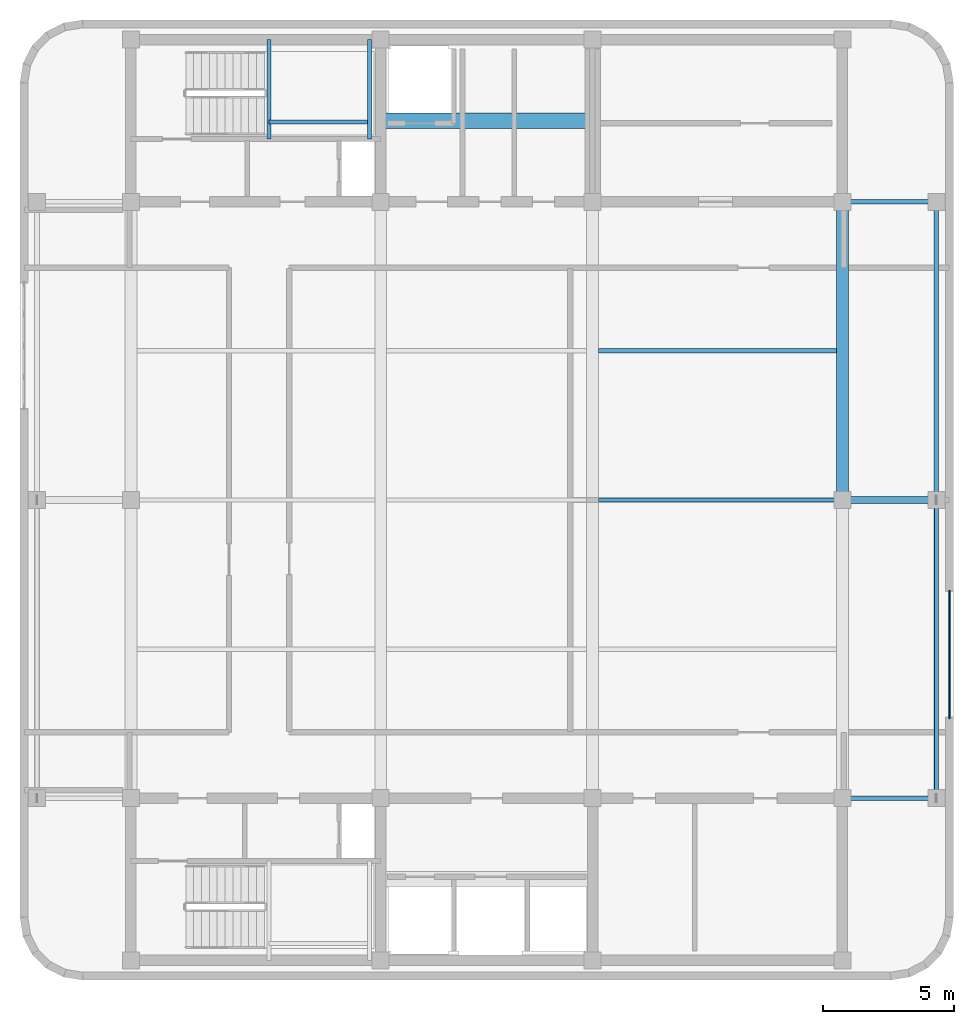
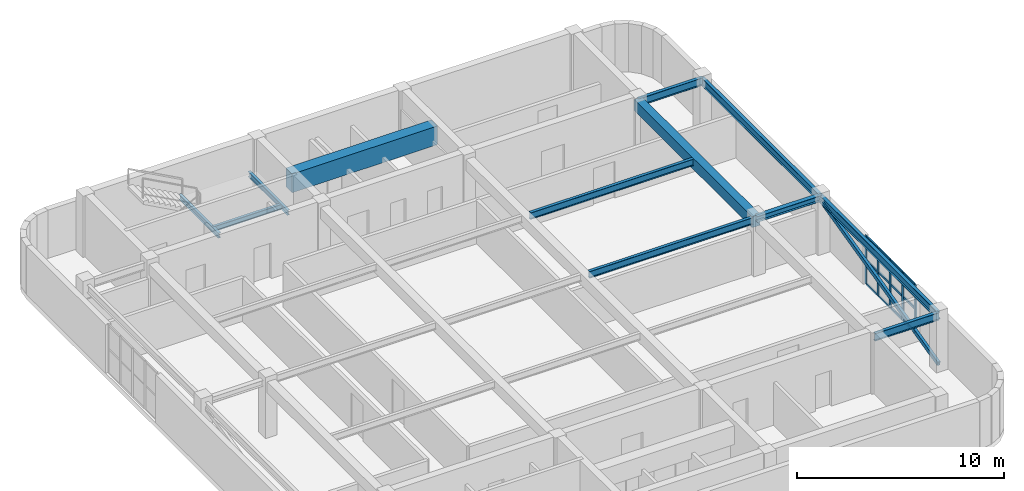
# One storey, part 3 of 9: 18 members, 12 beams, 1 element without a shape of its own.
"""IFC4 building model written with IfcOpenShell, lengths in metres."""

from ifc_helpers import new_model, si_unit, direction, frame, origin, origin_2d, place, context, subcontext, project, spatial, rectangle, hollow_rectangle, i_section, extrude, material, material_profile, profile_set, type_object, element, aggregate, save


model = new_model("IFC4")

# Units and contexts
model_context = context("Model", 3, precision=1e-05, world=origin(), true_north=direction((0.0, 1.0)))
body_context = subcontext(model_context, "Body", "Model", "MODEL_VIEW")
ifc_project = project(units=[si_unit("LENGTHUNIT", "METRE"), si_unit("AREAUNIT", "SQUARE_METRE"), si_unit("VOLUMEUNIT", "CUBIC_METRE"), si_unit("PLANEANGLEUNIT", "RADIAN"), si_unit("MASSUNIT", "GRAM", prefix="KILO")], contexts=[model_context])

# Site, building, storey
site_placement = place(None, origin())
site = spatial("IfcSite", under=ifc_project, at=site_placement, CompositionType="ELEMENT")
building_placement = place(site_placement, origin())
building = spatial("IfcBuilding", under=site, at=building_placement, Name="Svetorya Sky Lyceum", CompositionType="ELEMENT")
storey_placement = place(building_placement, frame((0.0, 0.0, 312.800048828125)))
storey = spatial("IfcBuildingStorey", under=building, at=storey_placement, Name="C04", CompositionType="ELEMENT", Elevation=312.800048828125)

# Beams
ifc_material_1 = material(Name="Concrete C60/75", Category="concrete")
ifc_material_profile_1 = material_profile(ifc_material_1, rectangle(XDim=0.60009765625, YDim=1.10009765625, at=origin_2d()), Name="RC COUPLING 600x1100")
ifc_profile_set_1 = profile_set([ifc_material_profile_1], Name="Concrete C60/75")
beam_type_1 = type_object("IfcBeamType", Name="BM-CPL-1100", PredefinedType="LINTEL", material=ifc_profile_set_1)
beam_1_placement = place(storey_placement, frame((35.14990234375, 42.699951171875, 2.77001953125), z_axis=(1.0, 0.0, 0.0), x_axis=(0.0, 1.0, 0.0)))
element("IfcBeam", 1, at=beam_1_placement, inside=storey, type_object=beam_type_1, Name="C04 NC Core Coupling Beam", PredefinedType="LINTEL", context=body_context, shape_type="SweptSolid", body=[
    extrude(rectangle(XDim=0.60009765625, YDim=1.10009765625, at=origin_2d()), origin(), (0.0, 0.0, 1.0), 8.10009765625),
])
ifc_material_2 = material(Name="Concrete C40/50", Category="concrete")
ifc_material_profile_2 = material_profile(ifc_material_2, rectangle(XDim=0.449951171875, YDim=0.64990234375, at=origin_2d()), Name="RC BEAM 450x650")
ifc_profile_set_2 = profile_set([ifc_material_profile_2], Name="Concrete C40/50")
beam_type_2 = type_object("IfcBeamType", Name="BM-RC-650", PredefinedType="BEAM", material=ifc_profile_set_2)
beam_2_placement = place(storey_placement, frame((52.800048828125, 28.199951171875, 2.994873046875), z_axis=(0.0, 1.0, 0.0), x_axis=(-1.0, 0.0, 0.0)))
element("IfcBeam", 2, at=beam_2_placement, inside=storey, type_object=beam_type_2, Name="C04 Central Bay Primary Girder CG-4B", PredefinedType="BEAM", context=body_context, shape_type="SweptSolid", body=[
    extrude(rectangle(XDim=0.449951171875, YDim=0.64990234375, at=origin_2d()), origin(), (0.0, 0.0, 1.0), 11.400146484375),
])
ifc_material_3 = material(Name="Steel S355", Category="steel")
ifc_material_profile_3 = material_profile(ifc_material_3, i_section(OverallWidth=0.14990234375, OverallDepth=0.299072265625, WebThickness=0.006591796875, FlangeThickness=0.010498046875, at=origin_2d()), Name="GOST 30B2")
ifc_profile_set_3 = profile_set([ifc_material_profile_3], Name="Steel S355")
beam_type_3 = type_object("IfcBeamType", Name="BM-STL-30B2", PredefinedType="JOIST", material=ifc_profile_set_3)
for number, where, z_axis, x_axis, name in (
    (3, (30.8798828125, 42.0, 1.450439453125), (0.0, 1.0, 0.0), (-1.0, 0.0, 0.0), "C04 Stair ST-N Half-Landing Support Beam 87.1"),
    (4, (34.719970703125, 42.0, 1.450439453125), (0.0, 1.0, 0.0), (-1.0, 0.0, 0.0), "C04 Stair ST-N Half-Landing Support Beam 87.2"),
):
    element("IfcBeam", number, at=place(storey_placement, frame(where, z_axis=z_axis, x_axis=x_axis)), inside=storey, type_object=beam_type_3, Name=name, PredefinedType="JOIST", context=body_context, shape_type="SweptSolid", body=[
        extrude(i_section(OverallWidth=0.14990234375, OverallDepth=0.299072265625, WebThickness=0.006591796875, FlangeThickness=0.010498046875, at=origin_2d()), origin(), (0.0, 0.0, 1.0), 3.800048828125),
    ])
beam_3_placement = place(storey_placement, frame((30.8798828125, 42.64990234375, 1.450439453125), z_axis=(1.0, 0.0, 0.0), x_axis=(0.0, 1.0, 0.0)))
element("IfcBeam", 5, at=beam_3_placement, inside=storey, type_object=beam_type_3, Name="C04 Stair ST-N Half-Landing Cross Tie 87", PredefinedType="JOIST", context=body_context, shape_type="SweptSolid", body=[
    extrude(i_section(OverallWidth=0.14990234375, OverallDepth=0.299072265625, WebThickness=0.006591796875, FlangeThickness=0.010498046875, at=origin_2d()), origin(), (0.0, 0.0, 1.0), 3.840087890625),
])
ifc_material_profile_4 = material_profile(ifc_material_3, i_section(OverallWidth=0.25, OverallDepth=0.345947265625, WebThickness=0.009521484375, FlangeThickness=0.014404296875, at=origin_2d()), Name="GOST 35Sh2")
ifc_profile_set_4 = profile_set([ifc_material_profile_4], Name="Steel S355")
beam_type_4 = type_object("IfcBeamType", Name="BM-STL-35SH2", PredefinedType="BEAM", material=ifc_profile_set_4)
beam_4_placement = place(storey_placement, frame((52.800048828125, 28.199951171875, 3.14697265625), z_axis=(1.0, 0.0, 0.0), x_axis=(0.0, 1.0, 0.0)))
element("IfcBeam", 6, at=beam_4_placement, inside=storey, type_object=beam_type_4, Name="C04 East Wing Floor Joist E2", PredefinedType="BEAM", context=body_context, shape_type="SweptSolid", body=[
    extrude(i_section(OverallWidth=0.25, OverallDepth=0.345947265625, WebThickness=0.009521484375, FlangeThickness=0.014404296875, at=origin_2d()), origin(), (0.0, 0.0, 1.0), 3.58984375),
])
ifc_material_profile_5 = material_profile(ifc_material_3, i_section(OverallWidth=0.1650390625, OverallDepth=0.39990234375, WebThickness=0.008056640625, FlangeThickness=0.012939453125, at=origin_2d()), Name="GOST 40B2")
ifc_profile_set_5 = profile_set([ifc_material_profile_5], Name="Steel S355")
beam_type_5 = type_object("IfcBeamType", Name="BM-STL-40B2", PredefinedType="JOIST", material=ifc_profile_set_5)
for number, where, z_axis, x_axis, name in (
    (7, (43.47509765625, 28.199951171875, 3.119873046875), (1.0, 0.0, 0.0), (0.0, 1.0, 0.0), "C04 Central Floor Joist CJ-2.3"),
    (8, (43.47509765625, 33.89990234375, 3.119873046875), (1.0, 0.0, 0.0), (0.0, 1.0, 0.0), "C04 Central Floor Joist CJ-3.3"),
):
    element("IfcBeam", number, at=place(storey_placement, frame(where, z_axis=z_axis, x_axis=x_axis)), inside=storey, type_object=beam_type_5, Name=name, PredefinedType="JOIST", context=body_context, shape_type="SweptSolid", body=[
        extrude(i_section(OverallWidth=0.1650390625, OverallDepth=0.39990234375, WebThickness=0.008056640625, FlangeThickness=0.012939453125, at=origin_2d()), origin(), (0.0, 0.0, 1.0), 9.099853515625),
    ])
ifc_material_profile_6 = material_profile(ifc_material_3, i_section(OverallWidth=0.179931640625, OverallDepth=0.449951171875, WebThickness=0.009033203125, FlangeThickness=0.014404296875, at=origin_2d()), Name="GOST 45B2")
ifc_profile_set_6 = profile_set([ifc_material_profile_6], Name="Steel S355")
beam_type_6 = type_object("IfcBeamType", Name="BM-STL-45B2", PredefinedType="SPANDREL", material=ifc_profile_set_6)
for number, where, z_axis, x_axis, name in (
    (9, (52.800048828125, 16.800048828125, 3.094970703125), (1.0, 0.0, 0.0), (0.0, 1.0, 0.0), "C04 Tie Spandrel SE"),
    (10, (52.800048828125, 39.60009765625, 3.094970703125), (1.0, 0.0, 0.0), (0.0, 1.0, 0.0), "C04 Tie Spandrel NE"),
):
    element("IfcBeam", number, at=place(storey_placement, frame(where, z_axis=z_axis, x_axis=x_axis)), inside=storey, type_object=beam_type_6, Name=name, PredefinedType="SPANDREL", context=body_context, shape_type="SweptSolid", body=[
        extrude(i_section(OverallWidth=0.179931640625, OverallDepth=0.449951171875, WebThickness=0.009033203125, FlangeThickness=0.014404296875, at=origin_2d()), origin(), (0.0, 0.0, 1.0), 3.58984375),
    ])
beam_5_placement = place(storey_placement, frame((56.389892578125, 16.800048828125, 3.094970703125), z_axis=(0.0, 1.0, 0.0), x_axis=(-1.0, 0.0, 0.0)))
element("IfcBeam", 11, at=beam_5_placement, inside=storey, type_object=beam_type_6, Name="C04 East Spandrel 1", PredefinedType="SPANDREL", context=body_context, shape_type="SweptSolid", body=[
    extrude(i_section(OverallWidth=0.179931640625, OverallDepth=0.449951171875, WebThickness=0.009033203125, FlangeThickness=0.014404296875, at=origin_2d()), origin(), (0.0, 0.0, 1.0), 11.39990234375),
])
beam_6_placement = place(storey_placement, frame((56.389892578125, 28.199951171875, 3.094970703125), z_axis=(0.0, 1.0, 0.0), x_axis=(-1.0, 0.0, 0.0)))
element("IfcBeam", 12, at=beam_6_placement, inside=storey, type_object=beam_type_6, Name="C04 East Spandrel 2", PredefinedType="SPANDREL", context=body_context, shape_type="SweptSolid", body=[
    extrude(i_section(OverallWidth=0.179931640625, OverallDepth=0.449951171875, WebThickness=0.009033203125, FlangeThickness=0.014404296875, at=origin_2d()), origin(), (0.0, 0.0, 1.0), 11.400146484375),
])

# Curtain wall, members
ifc_material_4 = material(Name="Thermally broken anodized aluminium and triple low-E glass", Category="aluminium")
curtain_wall_type = type_object("IfcCurtainWallType", Name="CW5-LVR-PLT", PredefinedType="NOTDEFINED", material=ifc_material_4)
curtain_wall_placement = place(storey_placement, origin())
curtain_wall = element("IfcCurtainWall", 13, at=curtain_wall_placement, inside=storey, type_object=curtain_wall_type, Name="C04 Acoustic Plant Louvre Curtain Wall 12", PredefinedType="NOTDEFINED")
ifc_material_5 = material(Name="Thermally broken anodized aluminium EN AW-6060", Category="aluminium")
ifc_material_profile_7 = material_profile(ifc_material_5, rectangle(XDim=0.06494140625, YDim=0.179931640625, at=origin_2d()), Name="ALU MULLION 65x180")
ifc_profile_set_7 = profile_set([ifc_material_profile_7], Name="Thermally broken anodized aluminium EN AW-6060")
member_type_1 = type_object("IfcMemberType", Name="CWM-MUL-180", PredefinedType="MULLION", material=ifc_profile_set_7)
member_1_placement = place(storey_placement, frame((56.889892578125, 19.9326171875, 0.0), z_axis=(0.0, 0.0, 1.0), x_axis=(-1.0, 0.0, 0.0)))
member_1 = element("IfcMember", 14, at=member_1_placement, type_object=member_type_1, Name="CW-5 mullion 1", PredefinedType="MULLION", context=body_context, shape_type="SweptSolid", body=[
    extrude(rectangle(XDim=0.06494140625, YDim=0.179931640625, at=origin_2d()), origin(), (0.0, 0.0, 1.0), 2.83984375),
])
member_2_placement = place(storey_placement, frame((56.889892578125, 21.10009765625, 0.0), z_axis=(0.0, 0.0, 1.0), x_axis=(-1.0, 0.0, 0.0)))
member_2 = element("IfcMember", 15, at=member_2_placement, type_object=member_type_1, Name="CW-5 mullion 2", PredefinedType="MULLION", context=body_context, shape_type="SweptSolid", body=[
    extrude(rectangle(XDim=0.06494140625, YDim=0.179931640625, at=origin_2d()), origin(), (0.0, 0.0, 1.0), 2.83984375),
])
member_3_placement = place(storey_placement, frame((56.889892578125, 22.300048828125, 0.0), z_axis=(0.0, 0.0, 1.0), x_axis=(-1.0, 0.0, 0.0)))
member_3 = element("IfcMember", 16, at=member_3_placement, type_object=member_type_1, Name="CW-5 mullion 3", PredefinedType="MULLION", context=body_context, shape_type="SweptSolid", body=[
    extrude(rectangle(XDim=0.06494140625, YDim=0.179931640625, at=origin_2d()), origin(), (0.0, 0.0, 1.0), 2.83984375),
])
member_4_placement = place(storey_placement, frame((56.889892578125, 23.5, 0.0), z_axis=(0.0, 0.0, 1.0), x_axis=(-1.0, 0.0, 0.0)))
member_4 = element("IfcMember", 17, at=member_4_placement, type_object=member_type_1, Name="CW-5 mullion 4", PredefinedType="MULLION", context=body_context, shape_type="SweptSolid", body=[
    extrude(rectangle(XDim=0.06494140625, YDim=0.179931640625, at=origin_2d()), origin(), (0.0, 0.0, 1.0), 2.83984375),
])
member_5_placement = place(storey_placement, frame((56.889892578125, 24.66748046875, 0.0), z_axis=(0.0, 0.0, 1.0), x_axis=(-1.0, 0.0, 0.0)))
member_5 = element("IfcMember", 18, at=member_5_placement, type_object=member_type_1, Name="CW-5 mullion 5", PredefinedType="MULLION", context=body_context, shape_type="SweptSolid", body=[
    extrude(rectangle(XDim=0.06494140625, YDim=0.179931640625, at=origin_2d()), origin(), (0.0, 0.0, 1.0), 2.83984375),
])
ifc_material_profile_8 = material_profile(ifc_material_5, rectangle(XDim=0.06494140625, YDim=0.139892578125, at=origin_2d()), Name="ALU TRANSOM 65x140")
ifc_profile_set_8 = profile_set([ifc_material_profile_8], Name="Thermally broken anodized aluminium EN AW-6060")
member_type_2 = type_object("IfcMemberType", Name="CWM-TRN-140", PredefinedType="USERDEFINED", material=ifc_profile_set_8)
member_6_placement = place(storey_placement, frame((56.889892578125, 19.96337890625, 0.032470703125), z_axis=(0.0, 1.0, 0.0), x_axis=(-1.0, 0.0, 0.0)))
member_6 = element("IfcMember", 19, at=member_6_placement, type_object=member_type_2, Name="CW-5 transom 1.1", ObjectType="TRANSOM", PredefinedType="USERDEFINED", context=body_context, shape_type="SweptSolid", body=[
    extrude(rectangle(XDim=0.06494140625, YDim=0.139892578125, at=origin_2d()), origin(), (0.0, 0.0, 1.0), 1.105712890625),
])
member_7_placement = place(storey_placement, frame((56.889892578125, 19.96337890625, 1.419921875), z_axis=(0.0, 1.0, 0.0), x_axis=(-1.0, 0.0, 0.0)))
member_7 = element("IfcMember", 20, at=member_7_placement, type_object=member_type_2, Name="CW-5 transom 1.2", ObjectType="TRANSOM", PredefinedType="USERDEFINED", context=body_context, shape_type="SweptSolid", body=[
    extrude(rectangle(XDim=0.06494140625, YDim=0.139892578125, at=origin_2d()), origin(), (0.0, 0.0, 1.0), 1.105712890625),
])
member_8_placement = place(storey_placement, frame((56.889892578125, 19.96337890625, 2.807373046875), z_axis=(0.0, 1.0, 0.0), x_axis=(-1.0, 0.0, 0.0)))
member_8 = element("IfcMember", 21, at=member_8_placement, type_object=member_type_2, Name="CW-5 transom 1.3", ObjectType="TRANSOM", PredefinedType="USERDEFINED", context=body_context, shape_type="SweptSolid", body=[
    extrude(rectangle(XDim=0.06494140625, YDim=0.139892578125, at=origin_2d()), origin(), (0.0, 0.0, 1.0), 1.105712890625),
])
member_9_placement = place(storey_placement, frame((56.889892578125, 21.131103515625, 0.032470703125), z_axis=(0.0, 1.0, 0.0), x_axis=(-1.0, 0.0, 0.0)))
member_9 = element("IfcMember", 22, at=member_9_placement, type_object=member_type_2, Name="CW-5 transom 2.1", ObjectType="TRANSOM", PredefinedType="USERDEFINED", context=body_context, shape_type="SweptSolid", body=[
    extrude(rectangle(XDim=0.06494140625, YDim=0.139892578125, at=origin_2d()), origin(), (0.0, 0.0, 1.0), 1.137939453125),
])
member_10_placement = place(storey_placement, frame((56.889892578125, 21.131103515625, 1.419921875), z_axis=(0.0, 1.0, 0.0), x_axis=(-1.0, 0.0, 0.0)))
member_10 = element("IfcMember", 23, at=member_10_placement, type_object=member_type_2, Name="CW-5 transom 2.2", ObjectType="TRANSOM", PredefinedType="USERDEFINED", context=body_context, shape_type="SweptSolid", body=[
    extrude(rectangle(XDim=0.06494140625, YDim=0.139892578125, at=origin_2d()), origin(), (0.0, 0.0, 1.0), 1.137939453125),
])
member_11_placement = place(storey_placement, frame((56.889892578125, 21.131103515625, 2.807373046875), z_axis=(0.0, 1.0, 0.0), x_axis=(-1.0, 0.0, 0.0)))
member_11 = element("IfcMember", 24, at=member_11_placement, type_object=member_type_2, Name="CW-5 transom 2.3", ObjectType="TRANSOM", PredefinedType="USERDEFINED", context=body_context, shape_type="SweptSolid", body=[
    extrude(rectangle(XDim=0.06494140625, YDim=0.139892578125, at=origin_2d()), origin(), (0.0, 0.0, 1.0), 1.137939453125),
])
member_12_placement = place(storey_placement, frame((56.889892578125, 22.3310546875, 0.032470703125), z_axis=(0.0, 1.0, 0.0), x_axis=(-1.0, 0.0, 0.0)))
member_12 = element("IfcMember", 25, at=member_12_placement, type_object=member_type_2, Name="CW-5 transom 3.1", ObjectType="TRANSOM", PredefinedType="USERDEFINED", context=body_context, shape_type="SweptSolid", body=[
    extrude(rectangle(XDim=0.06494140625, YDim=0.139892578125, at=origin_2d()), origin(), (0.0, 0.0, 1.0), 1.137939453125),
])
member_13_placement = place(storey_placement, frame((56.889892578125, 22.3310546875, 1.419921875), z_axis=(0.0, 1.0, 0.0), x_axis=(-1.0, 0.0, 0.0)))
member_13 = element("IfcMember", 26, at=member_13_placement, type_object=member_type_2, Name="CW-5 transom 3.2", ObjectType="TRANSOM", PredefinedType="USERDEFINED", context=body_context, shape_type="SweptSolid", body=[
    extrude(rectangle(XDim=0.06494140625, YDim=0.139892578125, at=origin_2d()), origin(), (0.0, 0.0, 1.0), 1.137939453125),
])
member_14_placement = place(storey_placement, frame((56.889892578125, 22.3310546875, 2.807373046875), z_axis=(0.0, 1.0, 0.0), x_axis=(-1.0, 0.0, 0.0)))
member_14 = element("IfcMember", 27, at=member_14_placement, type_object=member_type_2, Name="CW-5 transom 3.3", ObjectType="TRANSOM", PredefinedType="USERDEFINED", context=body_context, shape_type="SweptSolid", body=[
    extrude(rectangle(XDim=0.06494140625, YDim=0.139892578125, at=origin_2d()), origin(), (0.0, 0.0, 1.0), 1.137939453125),
])
member_15_placement = place(storey_placement, frame((56.889892578125, 23.531005859375, 0.032470703125), z_axis=(0.0, 1.0, 0.0), x_axis=(-1.0, 0.0, 0.0)))
member_15 = element("IfcMember", 28, at=member_15_placement, type_object=member_type_2, Name="CW-5 transom 4.1", ObjectType="TRANSOM", PredefinedType="USERDEFINED", context=body_context, shape_type="SweptSolid", body=[
    extrude(rectangle(XDim=0.06494140625, YDim=0.139892578125, at=origin_2d()), origin(), (0.0, 0.0, 1.0), 1.10546875),
])
member_16_placement = place(storey_placement, frame((56.889892578125, 23.531005859375, 1.419921875), z_axis=(0.0, 1.0, 0.0), x_axis=(-1.0, 0.0, 0.0)))
member_16 = element("IfcMember", 29, at=member_16_placement, type_object=member_type_2, Name="CW-5 transom 4.2", ObjectType="TRANSOM", PredefinedType="USERDEFINED", context=body_context, shape_type="SweptSolid", body=[
    extrude(rectangle(XDim=0.06494140625, YDim=0.139892578125, at=origin_2d()), origin(), (0.0, 0.0, 1.0), 1.10546875),
])
member_17_placement = place(storey_placement, frame((56.889892578125, 23.531005859375, 2.807373046875), z_axis=(0.0, 1.0, 0.0), x_axis=(-1.0, 0.0, 0.0)))
member_17 = element("IfcMember", 30, at=member_17_placement, type_object=member_type_2, Name="CW-5 transom 4.3", ObjectType="TRANSOM", PredefinedType="USERDEFINED", context=body_context, shape_type="SweptSolid", body=[
    extrude(rectangle(XDim=0.06494140625, YDim=0.139892578125, at=origin_2d()), origin(), (0.0, 0.0, 1.0), 1.10546875),
])
aggregate(curtain_wall, [member_1, member_2, member_3, member_4, member_5, member_6, member_7, member_8, member_9, member_10, member_11, member_12, member_13, member_14, member_15, member_16, member_17])

# Member
ifc_material_profile_9 = material_profile(ifc_material_3, hollow_rectangle(XDim=0.14990234375, YDim=0.25, WallThickness=0.010009765625, at=origin_2d()), Name="RHS 250x150x10")
ifc_profile_set_9 = profile_set([ifc_material_profile_9], Name="Steel S355")
member_type_3 = type_object("IfcMemberType", Name="MB-BRC-RHS250", PredefinedType="BRACE", material=ifc_profile_set_9)
member_18_placement = place(storey_placement, frame((56.389892578125, 16.800048828125, 0.25), z_axis=(0.0, 0.971724925391, 0.236115796537), x_axis=(-1.0, 0.0, 0.0)))
element("IfcMember", 31, at=member_18_placement, inside=storey, type_object=member_type_3, Name="C04 Crown Perimeter Frame Brace E", PredefinedType="BRACE", context=body_context, shape_type="SweptSolid", body=[
    extrude(hollow_rectangle(XDim=0.14990234375, YDim=0.25, WallThickness=0.010009765625, at=origin_2d()), origin(), (0.0, 0.0, 1.0), 11.731689453125),
])

save(model, "model.ifc")
